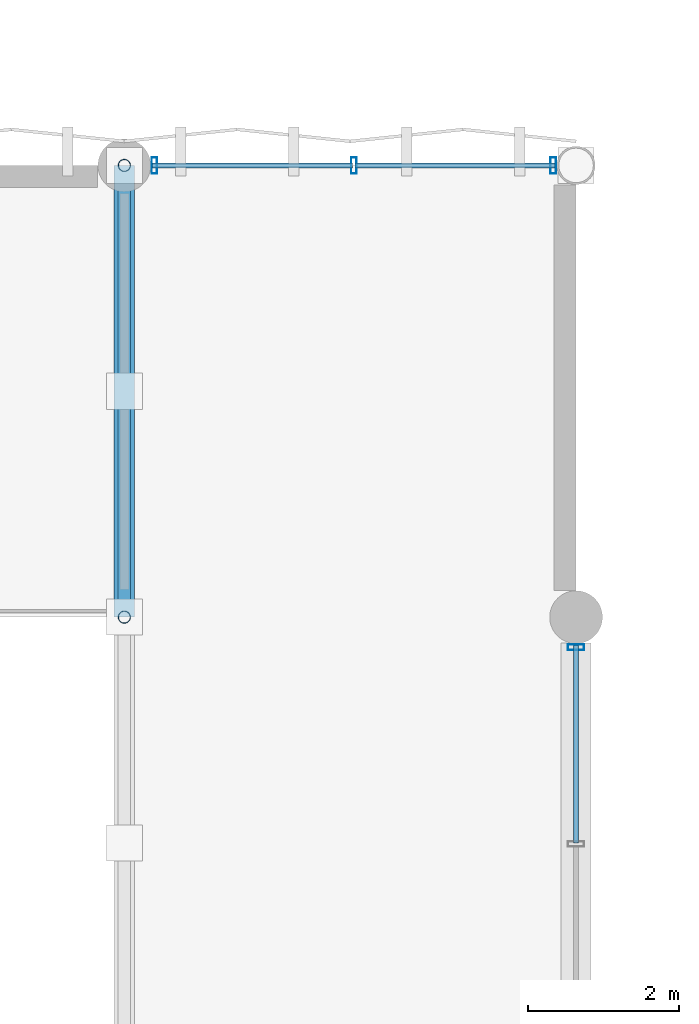
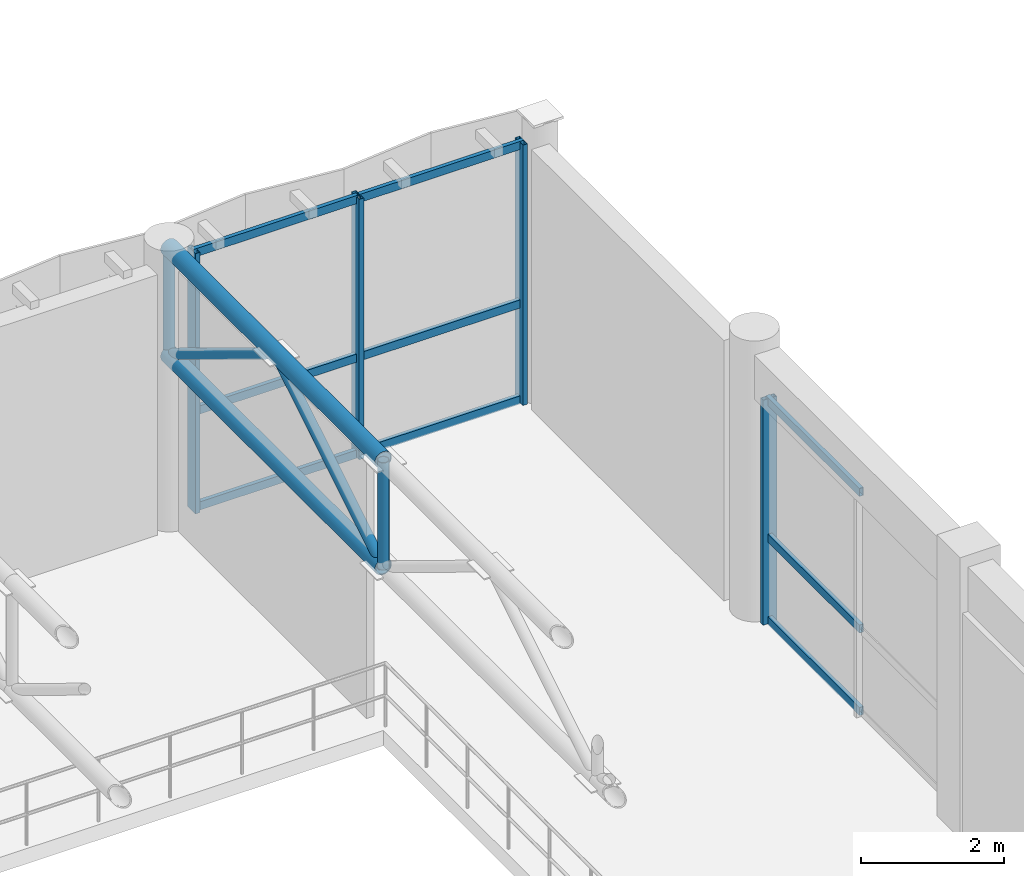
# One storey, part 47 of 123: 19 members, 2 elements without a shape of their own.
"""IFC4 building model written with IfcOpenShell, lengths in metres."""

from ifc_helpers import new_model, si_unit, direction, frame, origin, origin_2d, place, context, subcontext, project, spatial, hollow_rectangle, hollow_circle, extrude, material, material_profile, profile_set, type_object, element, aggregate, save


model = new_model("IFC4")

# Units and contexts
model_context = context("Model", 3, precision=1e-05, world=origin(), true_north=direction((0.0, 1.0)))
body_context = subcontext(model_context, "Body", "Model", "MODEL_VIEW")
ifc_project = project(units=[si_unit("LENGTHUNIT", "METRE"), si_unit("AREAUNIT", "SQUARE_METRE"), si_unit("VOLUMEUNIT", "CUBIC_METRE"), si_unit("PLANEANGLEUNIT", "RADIAN"), si_unit("MASSUNIT", "GRAM", prefix="KILO"), si_unit("THERMODYNAMICTEMPERATUREUNIT", "KELVIN"), si_unit("POWERUNIT", "WATT")], contexts=[model_context])

# Site, building, storey
site_placement = place(None, origin())
site = spatial("IfcSite", under=ifc_project, at=site_placement, CompositionType="ELEMENT")
building_placement = place(site_placement, origin())
building = spatial("IfcBuilding", under=site, at=building_placement, Name="Phaisarnlok Congress Hotel", CompositionType="ELEMENT")
storey_placement = place(building_placement, frame((0.0, 0.0, 15.0)))
storey = spatial("IfcBuildingStorey", under=building, at=storey_placement, Name="L03", CompositionType="ELEMENT", Elevation=15.0)

# Curtain wall, member
ifc_material_1 = material(Name="Thermally Broken Unitised Aluminium & Low-E Glazing", Category="aluminium")
curtain_wall_type_1 = type_object("IfcCurtainWallType", Name="CW-UNIT-27", PredefinedType="NOTDEFINED", material=ifc_material_1)
curtain_wall_1_placement = place(storey_placement, origin())
curtain_wall_1 = element("IfcCurtainWall", 1, at=curtain_wall_1_placement, inside=storey, type_object=curtain_wall_type_1, Name="Unitised curtain wall CW-27 (L03)", PredefinedType="NOTDEFINED")
ifc_material_2 = material(Name="Anodised Aluminium Alloy 6063-T6", Category="aluminium")
ifc_material_profile_1 = material_profile(ifc_material_2, hollow_rectangle(XDim=0.074951171875, YDim=0.219970703125, WallThickness=0.0048828125, at=origin_2d()), Name="ALU-M 75x220x5")
ifc_profile_set_1 = profile_set([ifc_material_profile_1], Name="Anodised Aluminium Alloy 6063-T6")
member_type_1 = type_object("IfcMemberType", Name="CWM-220", PredefinedType="MULLION", material=ifc_profile_set_1)
member_1_placement = place(storey_placement, frame((42.0, 113.60009765625, 0.0), z_axis=(0.0, 0.0, 1.0), x_axis=(0.0, 1.0, 0.0)))
member_1 = element("IfcMember", 2, at=member_1_placement, type_object=member_type_1, Name="Curtain wall mullion CWM-02", PredefinedType="MULLION", context=body_context, shape_type="SweptSolid", body=[
    extrude(hollow_rectangle(XDim=0.074951171875, YDim=0.219970703125, WallThickness=0.0048828125, at=origin_2d()), origin(), (0.0, 0.0, 1.0), 3.844970703125),
])

# Curtain wall, members
curtain_wall_type_2 = type_object("IfcCurtainWallType", Name="CW-UNIT-28", PredefinedType="NOTDEFINED", material=ifc_material_1)
curtain_wall_2_placement = place(storey_placement, origin())
curtain_wall_2 = element("IfcCurtainWall", 3, at=curtain_wall_2_placement, inside=storey, type_object=curtain_wall_type_2, Name="Unitised curtain wall CW-28 (L03)", PredefinedType="NOTDEFINED")
member_2_placement = place(storey_placement, frame((41.696044921875, 120.0, 0.0), z_axis=(0.0, 0.0, 1.0), x_axis=(-1.0, 0.0, 0.0)))
member_2 = element("IfcMember", 4, at=member_2_placement, type_object=member_type_1, Name="Curtain wall mullion CWM-02", PredefinedType="MULLION", context=body_context, shape_type="SweptSolid", body=[
    extrude(hollow_rectangle(XDim=0.074951171875, YDim=0.219970703125, WallThickness=0.0048828125, at=origin_2d()), origin(), (0.0, 0.0, 1.0), 4.449951171875),
])
member_3_placement = place(storey_placement, frame((39.048095703125, 120.0, 0.0), z_axis=(0.0, 0.0, 1.0), x_axis=(-1.0, 0.0, 0.0)))
member_3 = element("IfcMember", 5, at=member_3_placement, type_object=member_type_1, Name="Curtain wall mullion CWM-02", PredefinedType="MULLION", context=body_context, shape_type="SweptSolid", body=[
    extrude(hollow_rectangle(XDim=0.074951171875, YDim=0.219970703125, WallThickness=0.0048828125, at=origin_2d()), origin(), (0.0, 0.0, 1.0), 4.449951171875),
])
member_4_placement = place(storey_placement, frame((36.39990234375, 120.0, 0.0), z_axis=(0.0, 0.0, 1.0), x_axis=(-1.0, 0.0, 0.0)))
member_4 = element("IfcMember", 6, at=member_4_placement, type_object=member_type_1, Name="Curtain wall mullion CWM-02", PredefinedType="MULLION", context=body_context, shape_type="SweptSolid", body=[
    extrude(hollow_rectangle(XDim=0.074951171875, YDim=0.219970703125, WallThickness=0.0048828125, at=origin_2d()), origin(), (0.0, 0.0, 1.0), 4.449951171875),
])

# Member
ifc_material_profile_2 = material_profile(ifc_material_2, hollow_rectangle(XDim=0.06494140625, YDim=0.139892578125, WallThickness=0.00390625, at=origin_2d()), Name="ALU-T 65x140x4")
ifc_profile_set_2 = profile_set([ifc_material_profile_2], Name="Anodised Aluminium Alloy 6063-T6")
member_type_2 = type_object("IfcMemberType", Name="CWT-150", PredefinedType="USERDEFINED", material=ifc_profile_set_2)
member_5_placement = place(storey_placement, frame((42.0, 111.00244140625, 0.050048828125), z_axis=(0.0, 1.0, 0.0), x_axis=(-1.0, 0.0, 0.0)))
member_5 = element("IfcMember", 7, at=member_5_placement, type_object=member_type_2, Name="Curtain wall transom CWT-01", ObjectType="TRANSOM", PredefinedType="USERDEFINED", context=body_context, shape_type="SweptSolid", body=[
    extrude(hollow_rectangle(XDim=0.06494140625, YDim=0.139892578125, WallThickness=0.00390625, at=origin_2d()), origin(), (0.0, 0.0, 1.0), 2.62255859375),
])

member_6_placement = place(storey_placement, frame((42.0, 111.00244140625, 1.461181640625), z_axis=(0.0, 1.0, 0.0), x_axis=(-1.0, 0.0, 0.0)))
member_6 = element("IfcMember", 8, at=member_6_placement, type_object=member_type_2, Name="Curtain wall transom CWT-01", ObjectType="TRANSOM", PredefinedType="USERDEFINED", context=body_context, shape_type="SweptSolid", body=[
    extrude(hollow_rectangle(XDim=0.06494140625, YDim=0.139892578125, WallThickness=0.00390625, at=origin_2d()), origin(), (0.0, 0.0, 1.0), 2.62255859375),
])

member_7_placement = place(storey_placement, frame((42.0, 111.00244140625, 3.794921875), z_axis=(0.0, 1.0, 0.0), x_axis=(-1.0, 0.0, 0.0)))
member_7 = element("IfcMember", 9, at=member_7_placement, type_object=member_type_2, Name="Curtain wall transom CWT-01", ObjectType="TRANSOM", PredefinedType="USERDEFINED", context=body_context, shape_type="SweptSolid", body=[
    extrude(hollow_rectangle(XDim=0.06494140625, YDim=0.139892578125, WallThickness=0.00390625, at=origin_2d()), origin(), (0.0, 0.0, 1.0), 2.62255859375),
])

aggregate(curtain_wall_1, [member_1, member_5, member_6, member_7])

member_8_placement = place(storey_placement, frame((41.720947265625, 120.0, 0.050048828125), z_axis=(-1.0, 0.0, 0.0), x_axis=(0.0, -1.0, 0.0)))
member_8 = element("IfcMember", 10, at=member_8_placement, type_object=member_type_2, Name="Curtain wall transom CWT-01", ObjectType="TRANSOM", PredefinedType="USERDEFINED", context=body_context, shape_type="SweptSolid", body=[
    extrude(hollow_rectangle(XDim=0.06494140625, YDim=0.139892578125, WallThickness=0.00390625, at=origin_2d()), origin(), (0.0, 0.0, 1.0), 2.657958984375),
])

member_9_placement = place(storey_placement, frame((41.720947265625, 120.0, 1.69091796875), z_axis=(-1.0, 0.0, 0.0), x_axis=(0.0, -1.0, 0.0)))
member_9 = element("IfcMember", 11, at=member_9_placement, type_object=member_type_2, Name="Curtain wall transom CWT-01", ObjectType="TRANSOM", PredefinedType="USERDEFINED", context=body_context, shape_type="SweptSolid", body=[
    extrude(hollow_rectangle(XDim=0.06494140625, YDim=0.139892578125, WallThickness=0.00390625, at=origin_2d()), origin(), (0.0, 0.0, 1.0), 2.657958984375),
])

member_10_placement = place(storey_placement, frame((41.720947265625, 120.0, 4.39990234375), z_axis=(-1.0, 0.0, 0.0), x_axis=(0.0, -1.0, 0.0)))
member_10 = element("IfcMember", 12, at=member_10_placement, type_object=member_type_2, Name="Curtain wall transom CWT-01", ObjectType="TRANSOM", PredefinedType="USERDEFINED", context=body_context, shape_type="SweptSolid", body=[
    extrude(hollow_rectangle(XDim=0.06494140625, YDim=0.139892578125, WallThickness=0.00390625, at=origin_2d()), origin(), (0.0, 0.0, 1.0), 2.657958984375),
])

member_11_placement = place(storey_placement, frame((39.032958984375, 120.0, 0.050048828125), z_axis=(-1.0, 0.0, 0.0), x_axis=(0.0, -1.0, 0.0)))
member_11 = element("IfcMember", 13, at=member_11_placement, type_object=member_type_2, Name="Curtain wall transom CWT-01", ObjectType="TRANSOM", PredefinedType="USERDEFINED", context=body_context, shape_type="SweptSolid", body=[
    extrude(hollow_rectangle(XDim=0.06494140625, YDim=0.139892578125, WallThickness=0.00390625, at=origin_2d()), origin(), (0.0, 0.0, 1.0), 2.657958984375),
])

member_12_placement = place(storey_placement, frame((39.032958984375, 120.0, 1.69091796875), z_axis=(-1.0, 0.0, 0.0), x_axis=(0.0, -1.0, 0.0)))
member_12 = element("IfcMember", 14, at=member_12_placement, type_object=member_type_2, Name="Curtain wall transom CWT-01", ObjectType="TRANSOM", PredefinedType="USERDEFINED", context=body_context, shape_type="SweptSolid", body=[
    extrude(hollow_rectangle(XDim=0.06494140625, YDim=0.139892578125, WallThickness=0.00390625, at=origin_2d()), origin(), (0.0, 0.0, 1.0), 2.657958984375),
])

member_13_placement = place(storey_placement, frame((39.032958984375, 120.0, 4.39990234375), z_axis=(-1.0, 0.0, 0.0), x_axis=(0.0, -1.0, 0.0)))
member_13 = element("IfcMember", 15, at=member_13_placement, type_object=member_type_2, Name="Curtain wall transom CWT-01", ObjectType="TRANSOM", PredefinedType="USERDEFINED", context=body_context, shape_type="SweptSolid", body=[
    extrude(hollow_rectangle(XDim=0.06494140625, YDim=0.139892578125, WallThickness=0.00390625, at=origin_2d()), origin(), (0.0, 0.0, 1.0), 2.657958984375),
])

aggregate(curtain_wall_2, [member_2, member_3, member_4, member_8, member_9, member_10, member_11, member_12, member_13])

# Members
ifc_material_3 = material(Name="Steel S355", Category="steel")
ifc_material_profile_3 = material_profile(ifc_material_3, hollow_circle(Radius=0.084228515625, WallThickness=0.010009765625, at=origin_2d()), Name="CHS 168.3x10")
ifc_profile_set_3 = profile_set([ifc_material_profile_3], Name="Steel S355")
member_type_3 = type_object("IfcMemberType", Name="MEM-BRC-CHS168", PredefinedType="BRACE", material=ifc_profile_set_3)
member_14_placement = place(storey_placement, frame((36.0, 114.0, 2.800048828125), z_axis=(0.0, 0.0, 1.0), x_axis=(1.0, 0.0, 0.0)))
element("IfcMember", 16, at=member_14_placement, inside=storey, type_object=member_type_3, Name="Spa pavilion truss vertical TB-01", PredefinedType="BRACE", context=body_context, shape_type="SweptSolid", body=[
    extrude(hollow_circle(Radius=0.084228515625, WallThickness=0.010009765625, at=origin_2d()), origin(), (0.0, 0.0, 1.0), 1.829833984375),
])
for number, where, z_axis, x_axis, name in (
    (17, (36.0, 114.0, 2.800048828125), (0.0, 0.853724612577, 0.520724769797), (-1.0, 0.0, 0.0), "Spa pavilion truss diagonal TB-01"),
    (18, (36.0, 120.0, 2.800048828125), (0.0, -0.853724612577, 0.520724769797), (1.0, 0.0, 0.0), "Spa pavilion truss diagonal TB-01"),
):
    element("IfcMember", number, at=place(storey_placement, frame(where, z_axis=z_axis, x_axis=x_axis)), inside=storey, type_object=member_type_3, Name=name, PredefinedType="BRACE", context=body_context, shape_type="SweptSolid", body=[
        extrude(hollow_circle(Radius=0.084228515625, WallThickness=0.010009765625, at=origin_2d()), origin(), (0.0, 0.0, 1.0), 3.513916015625),
    ])
member_15_placement = place(storey_placement, frame((36.0, 120.0, 2.800048828125), z_axis=(0.0, 0.0, 1.0), x_axis=(1.0, 0.0, 0.0)))
element("IfcMember", 19, at=member_15_placement, inside=storey, type_object=member_type_3, Name="Spa pavilion truss vertical TB-01", PredefinedType="BRACE", context=body_context, shape_type="SweptSolid", body=[
    extrude(hollow_circle(Radius=0.084228515625, WallThickness=0.010009765625, at=origin_2d()), origin(), (0.0, 0.0, 1.0), 1.829833984375),
])
ifc_material_profile_4 = material_profile(ifc_material_3, hollow_circle(Radius=0.136474609375, WallThickness=0.01611328125, at=origin_2d()), Name="CHS 273x16")
ifc_profile_set_4 = profile_set([ifc_material_profile_4], Name="Steel S355")
member_type_4 = type_object("IfcMemberType", Name="MEM-CHD-CHS273", PredefinedType="CHORD", material=ifc_profile_set_4)
for number, where, z_axis, x_axis, name in (
    (20, (36.0, 114.0, 4.6298828125), (0.0, 1.0, 0.0), (-1.0, 0.0, 0.0), "Spa pavilion truss top chord TC-03"),
    (21, (36.0, 114.0, 2.800048828125), (0.0, 1.0, 0.0), (-1.0, 0.0, 0.0), "Spa pavilion truss bottom chord TC-03"),
):
    element("IfcMember", number, at=place(storey_placement, frame(where, z_axis=z_axis, x_axis=x_axis)), inside=storey, type_object=member_type_4, Name=name, PredefinedType="CHORD", context=body_context, shape_type="SweptSolid", body=[
        extrude(hollow_circle(Radius=0.136474609375, WallThickness=0.01611328125, at=origin_2d()), origin(), (0.0, 0.0, 1.0), 6.0),
    ])

save(model, "model.ifc")
